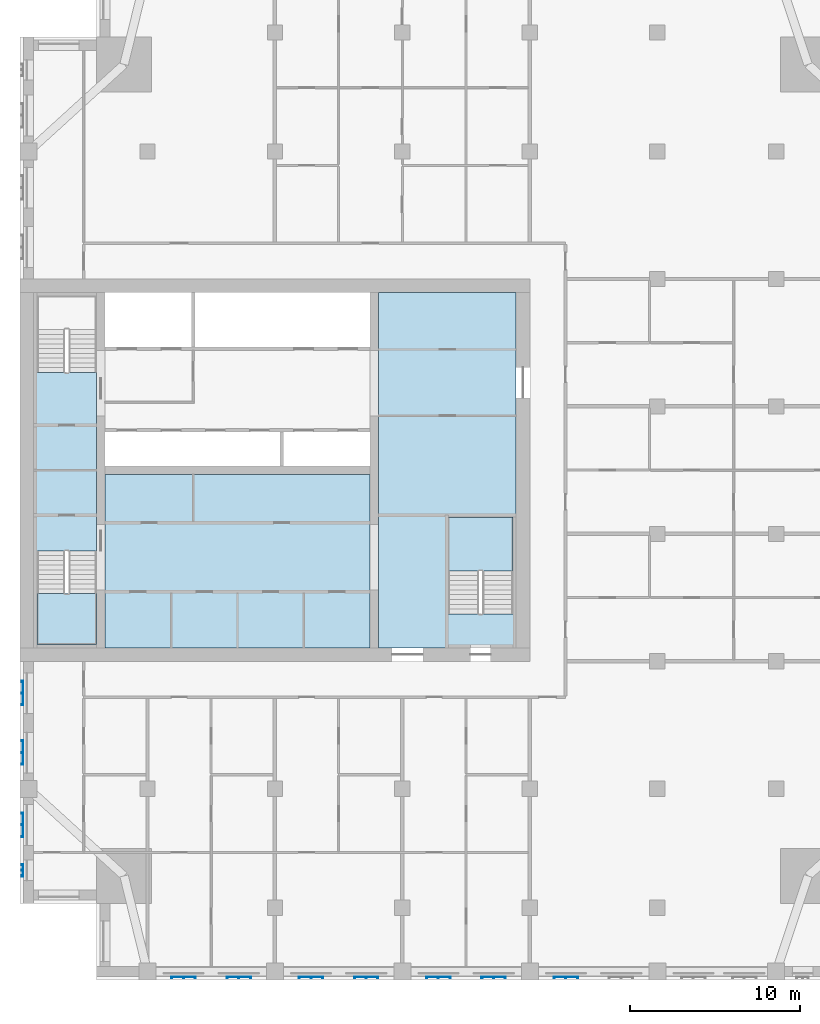
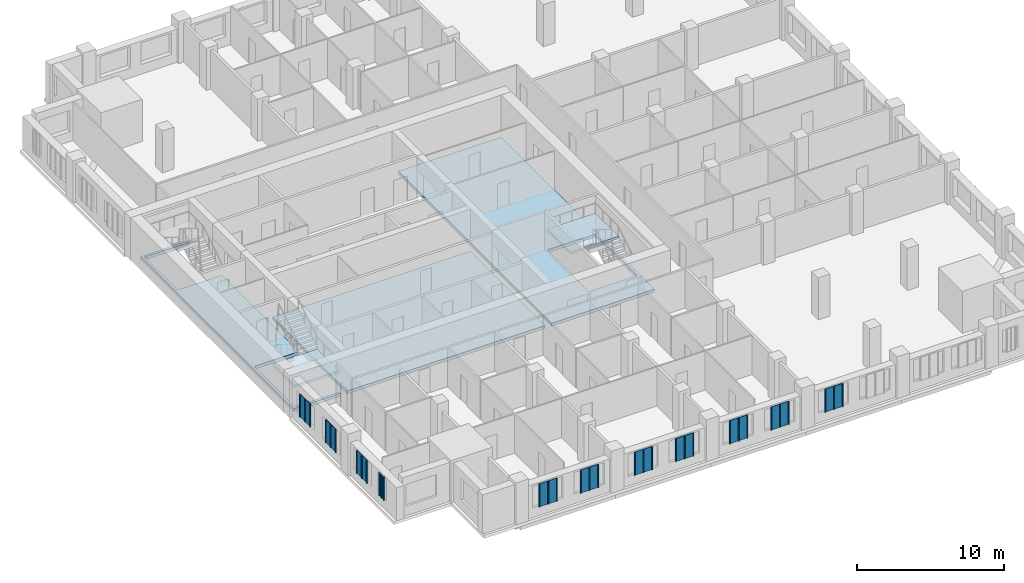
# One storey, part 2 of 14: 11 plates, 5 slabs, 2 elements without a shape of their own.
"""IFC4 building model written with IfcOpenShell, lengths in metres."""

from ifc_helpers import new_model, si_unit, direction, frame, origin, place, context, subcontext, project, spatial, polyline, outline, extrude, material, layer, layer_set, type_object, element, aggregate, save


model = new_model("IFC4")

# Units and contexts
model_context = context("Model", 3, precision=1e-05, world=origin(), true_north=direction((0.0, 1.0)))
body_context = subcontext(model_context, "Body", "Model", "MODEL_VIEW")
ifc_project = project(units=[si_unit("LENGTHUNIT", "METRE"), si_unit("AREAUNIT", "SQUARE_METRE"), si_unit("VOLUMEUNIT", "CUBIC_METRE"), si_unit("PLANEANGLEUNIT", "RADIAN"), si_unit("MASSUNIT", "GRAM", prefix="KILO")], contexts=[model_context])

# Site, building, storey
site_placement = place(None, origin())
site = spatial("IfcSite", under=ifc_project, at=site_placement, CompositionType="ELEMENT")
building_placement = place(site_placement, origin())
building = spatial("IfcBuilding", under=site, at=building_placement, Name="Tamorin Gate", CompositionType="ELEMENT")
storey_placement = place(building_placement, frame((0.0, 0.0, 186.199951171875)))
storey = spatial("IfcBuildingStorey", under=building, at=storey_placement, Name="L45", CompositionType="ELEMENT", Elevation=186.199951171875)

# Slabs
ifc_material_1 = material(Name="Concrete C40/50", Category="concrete")
ifc_layer_1 = layer(ifc_material_1, 0.25)
ifc_layer_set_1 = layer_set([ifc_layer_1], Name="Core floor slab 250 C40/50")
slab_type_1 = type_object("IfcSlabType", Name="Core floor slab 250 C40/50", PredefinedType="FLOOR", material=ifc_layer_set_1)
slab_1_placement = place(storey_placement, frame((0.0, 0.0, -0.25)))
element("IfcSlab", 1, at=slab_1_placement, inside=storey, type_object=slab_type_1, Name="Core floor L45", PredefinedType="FLOOR", context=body_context, shape_type="SweptSolid", body=[
    extrude(outline(polyline([(51.10009765625, 81.699951171875), (59.199951171875, 81.699951171875), (59.199951171875, 60.800048828125), (51.10009765625, 60.800048828125), (51.10009765625, 81.699951171875)]), holes=[polyline([(55.199951171875, 62.800048828125), (59.0, 62.800048828125), (59.0, 68.5), (55.199951171875, 68.5), (55.199951171875, 62.800048828125)])]), origin(), (0.0, 0.0, 1.0), 0.25),
])
slab_2_placement = place(storey_placement, frame((0.0, 0.0, -0.25)))
element("IfcSlab", 2, at=slab_2_placement, inside=storey, type_object=slab_type_1, Name="Core floor L45", PredefinedType="FLOOR", context=body_context, shape_type="SweptSolid", body=[
    extrude(outline(polyline([(50.60009765625, 71.0), (50.60009765625, 60.800048828125), (35.0, 60.800048828125), (35.0, 71.0), (50.60009765625, 71.0)])), origin(), (0.0, 0.0, 1.0), 0.25),
])
slab_3_placement = place(storey_placement, frame((0.0, 0.0, -0.25)))
element("IfcSlab", 3, at=slab_3_placement, inside=storey, type_object=slab_type_1, Name="Core floor L45", PredefinedType="FLOOR", context=body_context, shape_type="SweptSolid", body=[
    extrude(outline(polyline([(34.5, 60.800048828125), (30.800048828125, 60.800048828125), (30.800048828125, 81.699951171875), (34.5, 81.699951171875), (34.5, 81.5), (31.0, 81.5), (31.0, 77.0), (34.5, 77.0), (34.5, 66.5), (31.0, 66.5), (31.0, 61.0), (34.5, 61.0), (34.5, 60.800048828125)])), origin(), (0.0, 0.0, 1.0), 0.25),
])

# Stair, slab
stair_type = type_object("IfcStairType", Name="Exit stair", PredefinedType="HALF_TURN_STAIR", material=ifc_material_1)
stair_1_placement = place(storey_placement, origin())
stair_1 = element("IfcStair", 4, at=stair_1_placement, inside=storey, type_object=stair_type, Name="L45 stair ST1", PredefinedType="HALF_TURN_STAIR")
ifc_layer_2 = layer(ifc_material_1, 0.199951171875)
ifc_layer_set_2 = layer_set([ifc_layer_2], Name="Exit stair landing 200")
slab_type_2 = type_object("IfcSlabType", Name="Exit stair landing 200", PredefinedType="LANDING", material=ifc_layer_set_2)
slab_4_placement = place(storey_placement, frame((0.0, 0.0, 1.550048828125)))
slab_4 = element("IfcSlab", 5, at=slab_4_placement, type_object=slab_type_2, Name="ST1 landing 1", PredefinedType="LANDING", context=body_context, shape_type="SweptSolid", body=[
    extrude(outline(polyline([(31.0, 63.97998046875), (31.0, 61.0), (34.5, 61.0), (34.5, 63.97998046875), (31.0, 63.97998046875)])), origin(), (0.0, 0.0, 1.0), 0.199951171875),
])
aggregate(stair_1, [slab_4])

stair_2_placement = place(storey_placement, origin())
stair_2 = element("IfcStair", 6, at=stair_2_placement, inside=storey, type_object=stair_type, Name="L45 stair ST3", PredefinedType="HALF_TURN_STAIR")
slab_5_placement = place(storey_placement, frame((0.0, 0.0, 1.550048828125)))
slab_5 = element("IfcSlab", 7, at=slab_5_placement, type_object=slab_type_2, Name="ST3 landing 1", PredefinedType="LANDING", context=body_context, shape_type="SweptSolid", body=[
    extrude(outline(polyline([(59.0, 65.320068359375), (59.0, 68.5), (55.199951171875, 68.5), (55.199951171875, 65.320068359375), (59.0, 65.320068359375)])), origin(), (0.0, 0.0, 1.0), 0.199951171875),
])
aggregate(stair_2, [slab_5])

# Plates
ifc_material_2 = material(Name="Perforated pale aluminium sheet", Category="aluminium")
ifc_layer_3 = layer(ifc_material_2, 0.0400390625)
ifc_layer_set_3 = layer_set([ifc_layer_3], Name="Pale metal solar screen 1440")
plate_type_1 = type_object("IfcPlateType", Name="Pale metal solar screen 1440", PredefinedType="SHEET", material=ifc_layer_set_3)
plate_1_placement = place(storey_placement, frame((0.0, 0.0, 0.737548828125)))
element("IfcPlate", 8, at=plate_1_placement, inside=storey, type_object=plate_type_1, Name="Perforated solar screen", PredefinedType="SHEET", context=body_context, shape_type="SweptSolid", body=[
    extrude(outline(polyline([(38.905029296875, 41.409912109375), (38.905029296875, 41.449951171875), (38.965087890625, 41.449951171875), (39.594970703125, 41.449951171875), (39.655029296875, 41.449951171875), (40.284912109375, 41.449951171875), (40.344970703125, 41.449951171875), (40.344970703125, 41.449951171875), (40.344970703125, 41.409912109375), (40.344970703125, 41.409912109375), (40.344970703125, 41.35009765625), (40.284912109375, 41.35009765625), (40.284912109375, 41.409912109375), (39.655029296875, 41.409912109375), (39.655029296875, 41.35009765625), (39.594970703125, 41.35009765625), (39.594970703125, 41.409912109375), (38.965087890625, 41.409912109375), (38.965087890625, 41.35009765625), (38.905029296875, 41.35009765625), (38.905029296875, 41.409912109375)])), origin(), (0.0, 0.0, 1.0), 1.925048828125),
])
plate_2_placement = place(storey_placement, frame((0.0, 0.0, 0.737548828125)))
element("IfcPlate", 9, at=plate_2_placement, inside=storey, type_object=plate_type_1, Name="Perforated solar screen", PredefinedType="SHEET", context=body_context, shape_type="SweptSolid", body=[
    extrude(outline(polyline([(42.155029296875, 41.409912109375), (42.155029296875, 41.449951171875), (42.215087890625, 41.449951171875), (42.844970703125, 41.449951171875), (42.905029296875, 41.449951171875), (43.534912109375, 41.449951171875), (43.594970703125, 41.449951171875), (43.594970703125, 41.409912109375), (43.594970703125, 41.35009765625), (43.534912109375, 41.35009765625), (43.534912109375, 41.409912109375), (42.905029296875, 41.409912109375), (42.905029296875, 41.35009765625), (42.844970703125, 41.35009765625), (42.844970703125, 41.409912109375), (42.215087890625, 41.409912109375), (42.215087890625, 41.35009765625), (42.155029296875, 41.35009765625), (42.155029296875, 41.409912109375)])), origin(), (0.0, 0.0, 1.0), 1.925048828125),
])
plate_3_placement = place(storey_placement, frame((0.0, 0.0, 0.737548828125)))
element("IfcPlate", 10, at=plate_3_placement, inside=storey, type_object=plate_type_1, Name="Perforated solar screen", PredefinedType="SHEET", context=body_context, shape_type="SweptSolid", body=[
    extrude(outline(polyline([(46.405029296875, 41.409912109375), (46.405029296875, 41.449951171875), (46.465087890625, 41.449951171875), (47.094970703125, 41.449951171875), (47.155029296875, 41.449951171875), (47.784912109375, 41.449951171875), (47.844970703125, 41.449951171875), (47.844970703125, 41.409912109375), (47.844970703125, 41.35009765625), (47.784912109375, 41.35009765625), (47.784912109375, 41.409912109375), (47.155029296875, 41.409912109375), (47.155029296875, 41.35009765625), (47.094970703125, 41.35009765625), (47.094970703125, 41.409912109375), (46.465087890625, 41.409912109375), (46.465087890625, 41.35009765625), (46.405029296875, 41.35009765625), (46.405029296875, 41.409912109375)])), origin(), (0.0, 0.0, 1.0), 1.925048828125),
])
plate_4_placement = place(storey_placement, frame((0.0, 0.0, 0.737548828125)))
element("IfcPlate", 11, at=plate_4_placement, inside=storey, type_object=plate_type_1, Name="Perforated solar screen", PredefinedType="SHEET", context=body_context, shape_type="SweptSolid", body=[
    extrude(outline(polyline([(49.655029296875, 41.409912109375), (49.655029296875, 41.449951171875), (49.715087890625, 41.449951171875), (50.344970703125, 41.449951171875), (50.405029296875, 41.449951171875), (51.034912109375, 41.449951171875), (51.094970703125, 41.449951171875), (51.094970703125, 41.409912109375), (51.094970703125, 41.35009765625), (51.034912109375, 41.35009765625), (51.034912109375, 41.409912109375), (50.405029296875, 41.409912109375), (50.405029296875, 41.35009765625), (50.344970703125, 41.35009765625), (50.344970703125, 41.409912109375), (49.715087890625, 41.409912109375), (49.715087890625, 41.35009765625), (49.655029296875, 41.35009765625), (49.655029296875, 41.409912109375)])), origin(), (0.0, 0.0, 1.0), 1.925048828125),
])
plate_5_placement = place(storey_placement, frame((0.0, 0.0, 0.737548828125)))
element("IfcPlate", 12, at=plate_5_placement, inside=storey, type_object=plate_type_1, Name="Perforated solar screen", PredefinedType="SHEET", context=body_context, shape_type="SweptSolid", body=[
    extrude(outline(polyline([(53.905029296875, 41.409912109375), (53.905029296875, 41.449951171875), (53.965087890625, 41.449951171875), (54.594970703125, 41.449951171875), (54.655029296875, 41.449951171875), (55.284912109375, 41.449951171875), (55.344970703125, 41.449951171875), (55.344970703125, 41.409912109375), (55.344970703125, 41.35009765625), (55.284912109375, 41.35009765625), (55.284912109375, 41.409912109375), (54.655029296875, 41.409912109375), (54.655029296875, 41.35009765625), (54.594970703125, 41.35009765625), (54.594970703125, 41.409912109375), (53.965087890625, 41.409912109375), (53.965087890625, 41.35009765625), (53.905029296875, 41.35009765625), (53.905029296875, 41.409912109375)])), origin(), (0.0, 0.0, 1.0), 1.925048828125),
])
plate_6_placement = place(storey_placement, frame((0.0, 0.0, 0.737548828125)))
element("IfcPlate", 13, at=plate_6_placement, inside=storey, type_object=plate_type_1, Name="Perforated solar screen", PredefinedType="SHEET", context=body_context, shape_type="SweptSolid", body=[
    extrude(outline(polyline([(57.155029296875, 41.409912109375), (57.155029296875, 41.449951171875), (57.215087890625, 41.449951171875), (57.844970703125, 41.449951171875), (57.905029296875, 41.449951171875), (58.534912109375, 41.449951171875), (58.594970703125, 41.449951171875), (58.594970703125, 41.409912109375), (58.594970703125, 41.35009765625), (58.534912109375, 41.35009765625), (58.534912109375, 41.409912109375), (57.905029296875, 41.409912109375), (57.905029296875, 41.35009765625), (57.844970703125, 41.35009765625), (57.844970703125, 41.409912109375), (57.215087890625, 41.409912109375), (57.215087890625, 41.35009765625), (57.155029296875, 41.35009765625), (57.155029296875, 41.409912109375)])), origin(), (0.0, 0.0, 1.0), 1.925048828125),
])
plate_7_placement = place(storey_placement, frame((0.0, 0.0, 0.737548828125)))
element("IfcPlate", 14, at=plate_7_placement, inside=storey, type_object=plate_type_1, Name="Perforated solar screen", PredefinedType="SHEET", context=body_context, shape_type="SweptSolid", body=[
    extrude(outline(polyline([(61.405029296875, 41.409912109375), (61.405029296875, 41.449951171875), (61.465087890625, 41.449951171875), (62.094970703125, 41.449951171875), (62.155029296875, 41.449951171875), (62.784912109375, 41.449951171875), (62.844970703125, 41.449951171875), (62.844970703125, 41.409912109375), (62.844970703125, 41.35009765625), (62.784912109375, 41.35009765625), (62.784912109375, 41.409912109375), (62.155029296875, 41.409912109375), (62.155029296875, 41.35009765625), (62.094970703125, 41.35009765625), (62.094970703125, 41.409912109375), (61.465087890625, 41.409912109375), (61.465087890625, 41.35009765625), (61.405029296875, 41.35009765625), (61.405029296875, 41.409912109375)])), origin(), (0.0, 0.0, 1.0), 1.925048828125),
])
plate_8_placement = place(storey_placement, frame((0.0, 0.0, 0.737548828125)))
element("IfcPlate", 15, at=plate_8_placement, inside=storey, type_object=plate_type_1, Name="Perforated solar screen", PredefinedType="SHEET", context=body_context, shape_type="SweptSolid", body=[
    extrude(outline(polyline([(30.159912109375, 55.344970703125), (30.199951171875, 55.344970703125), (30.199951171875, 55.284912109375), (30.199951171875, 54.655029296875), (30.199951171875, 54.594970703125), (30.199951171875, 53.965087890625), (30.199951171875, 53.905029296875), (30.159912109375, 53.905029296875), (30.10009765625, 53.905029296875), (30.10009765625, 53.965087890625), (30.159912109375, 53.965087890625), (30.159912109375, 54.594970703125), (30.10009765625, 54.594970703125), (30.10009765625, 54.655029296875), (30.159912109375, 54.655029296875), (30.159912109375, 55.284912109375), (30.10009765625, 55.284912109375), (30.10009765625, 55.344970703125), (30.159912109375, 55.344970703125)])), origin(), (0.0, 0.0, 1.0), 1.925048828125),
])
plate_9_placement = place(storey_placement, frame((0.0, 0.0, 0.737548828125)))
element("IfcPlate", 16, at=plate_9_placement, inside=storey, type_object=plate_type_1, Name="Perforated solar screen", PredefinedType="SHEET", context=body_context, shape_type="SweptSolid", body=[
    extrude(outline(polyline([(30.159912109375, 58.844970703125), (30.199951171875, 58.844970703125), (30.199951171875, 58.784912109375), (30.199951171875, 58.155029296875), (30.199951171875, 58.094970703125), (30.199951171875, 57.465087890625), (30.199951171875, 57.405029296875), (30.159912109375, 57.405029296875), (30.10009765625, 57.405029296875), (30.10009765625, 57.465087890625), (30.159912109375, 57.465087890625), (30.159912109375, 58.094970703125), (30.10009765625, 58.094970703125), (30.10009765625, 58.155029296875), (30.159912109375, 58.155029296875), (30.159912109375, 58.784912109375), (30.10009765625, 58.784912109375), (30.10009765625, 58.844970703125), (30.159912109375, 58.844970703125)])), origin(), (0.0, 0.0, 1.0), 1.925048828125),
])
plate_10_placement = place(storey_placement, frame((0.0, 0.0, 0.737548828125)))
element("IfcPlate", 17, at=plate_10_placement, inside=storey, type_object=plate_type_1, Name="Perforated solar screen", PredefinedType="SHEET", context=body_context, shape_type="SweptSolid", body=[
    extrude(outline(polyline([(30.159912109375, 51.094970703125), (30.199951171875, 51.094970703125), (30.199951171875, 51.034912109375), (30.199951171875, 50.405029296875), (30.199951171875, 50.344970703125), (30.199951171875, 49.715087890625), (30.199951171875, 49.655029296875), (30.159912109375, 49.655029296875), (30.10009765625, 49.655029296875), (30.10009765625, 49.715087890625), (30.159912109375, 49.715087890625), (30.159912109375, 50.344970703125), (30.10009765625, 50.344970703125), (30.10009765625, 50.405029296875), (30.159912109375, 50.405029296875), (30.159912109375, 51.034912109375), (30.10009765625, 51.034912109375), (30.10009765625, 51.094970703125), (30.159912109375, 51.094970703125)])), origin(), (0.0, 0.0, 1.0), 1.925048828125),
])
ifc_layer_4 = layer(ifc_material_2, 0.0400390625)
ifc_layer_set_4 = layer_set([ifc_layer_4], Name="Pale metal solar screen 720")
plate_type_2 = type_object("IfcPlateType", Name="Pale metal solar screen 720", PredefinedType="SHEET", material=ifc_layer_set_4)
plate_11_placement = place(storey_placement, frame((0.0, 0.0, 0.737548828125)))
element("IfcPlate", 18, at=plate_11_placement, inside=storey, type_object=plate_type_2, Name="Perforated solar screen", PredefinedType="SHEET", context=body_context, shape_type="SweptSolid", body=[
    extrude(outline(polyline([(30.159912109375, 48.06005859375), (30.199951171875, 48.06005859375), (30.199951171875, 48.0), (30.199951171875, 47.72998046875), (30.199951171875, 47.669921875), (30.199951171875, 47.39990234375), (30.199951171875, 47.340087890625), (30.159912109375, 47.340087890625), (30.10009765625, 47.340087890625), (30.10009765625, 47.39990234375), (30.159912109375, 47.39990234375), (30.159912109375, 47.669921875), (30.10009765625, 47.669921875), (30.10009765625, 47.72998046875), (30.159912109375, 47.72998046875), (30.159912109375, 48.0), (30.10009765625, 48.0), (30.10009765625, 48.06005859375), (30.159912109375, 48.06005859375)])), origin(), (0.0, 0.0, 1.0), 1.925048828125),
])

save(model, "model.ifc")
